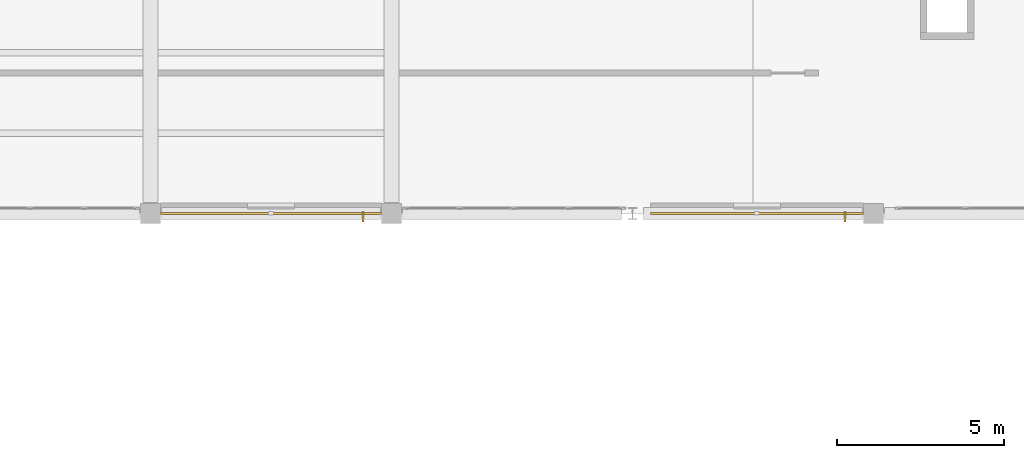
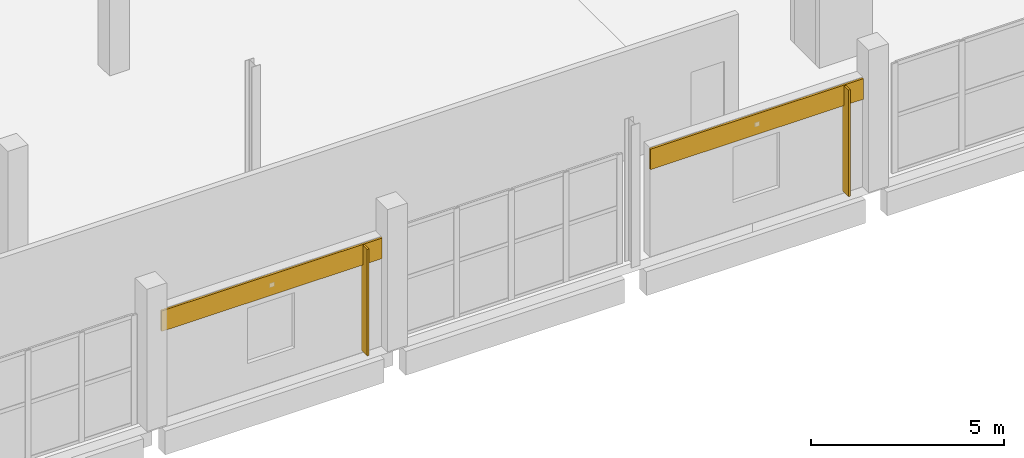
# One storey, part 113 of 123: 2 coverings, 2 shading devices.
"""IFC4 building model written with IfcOpenShell, lengths in metres."""

from ifc_helpers import new_model, si_unit, direction, frame, origin, origin_2d, place, context, subcontext, project, spatial, rectangle, extrude, material, layer, layer_set, type_object, element, save


model = new_model("IFC4")

# Units and contexts
model_context = context("Model", 3, precision=1e-05, world=origin(), true_north=direction((0.0, 1.0)))
body_context = subcontext(model_context, "Body", "Model", "MODEL_VIEW")
ifc_project = project(units=[si_unit("LENGTHUNIT", "METRE"), si_unit("AREAUNIT", "SQUARE_METRE"), si_unit("VOLUMEUNIT", "CUBIC_METRE"), si_unit("PLANEANGLEUNIT", "RADIAN"), si_unit("MASSUNIT", "GRAM", prefix="KILO")], contexts=[model_context])

# Site, building, storey
site_placement = place(None, origin())
site = spatial("IfcSite", under=ifc_project, at=site_placement, CompositionType="ELEMENT")
building_placement = place(site_placement, origin())
building = spatial("IfcBuilding", under=site, at=building_placement, Name="Kalmorath City Hall", CompositionType="ELEMENT")
storey_placement = place(building_placement, frame((0.0, 0.0, 10.199951171875)))
storey = spatial("IfcBuildingStorey", under=building, at=storey_placement, Name="L02", CompositionType="ELEMENT", Elevation=10.199951171875)

# Shading devices
ifc_material_1 = material(Name="Bronze anodised aluminium", Category="aluminium")
ifc_layer_1 = layer(ifc_material_1, 0.06005859375)
ifc_layer_set_1 = layer_set([ifc_layer_1], Name="Bronze anodised aluminium")
shading_device_type = type_object("IfcShadingDeviceType", Name="Bronze vertical solar fin 320", PredefinedType="USERDEFINED", material=ifc_layer_set_1)
for number, where, z_axis, x_axis, name in (
    (1, (56.7490234375, 93.5, 0.050048828125), (0.0, 0.0, 1.0), (-1.0, 0.0, 0.0), "L02 bronze solar fin #259"),
    (2, (42.34912109375, 93.5, 0.050048828125), (0.0, 0.0, 1.0), (-1.0, 0.0, 0.0), "L02 bronze solar fin #260"),
):
    element("IfcShadingDevice", number, at=place(storey_placement, frame(where, z_axis=z_axis, x_axis=x_axis)), inside=storey, type_object=shading_device_type, Name=name, ObjectType="FIN", PredefinedType="USERDEFINED", context=body_context, shape_type="SweptSolid", body=[
        extrude(rectangle(XDim=0.06005859375, YDim=0.320068359375, at=origin_2d()), origin(), (0.0, 0.0, 1.0), 3.37109375),
    ])

# Coverings
ifc_material_2 = material(Name="Volcanic basalt stone cladding", Category="masonry")
ifc_layer_2 = layer(ifc_material_2, 0.06005859375)
ifc_layer_set_2 = layer_set([ifc_layer_2], Name="Volcanic basalt stone cladding")
covering_type = type_object("IfcCoveringType", Name="Volcanic basalt stone rainscreen cladding", PredefinedType="CLADDING", material=ifc_layer_set_2)
covering_1_placement = place(storey_placement, frame((54.11474609375, 93.594970703125, 2.796142578125), z_axis=(0.0, 0.0, 1.0), x_axis=(-1.0, 0.0, 0.0)))
element("IfcCovering", 3, at=covering_1_placement, inside=storey, type_object=covering_type, Name="L02 basalt spandrel cladding #56", PredefinedType="CLADDING", context=body_context, shape_type="SweptSolid", body=[
    extrude(rectangle(XDim=6.368408203125, YDim=0.06005859375, at=origin_2d()), origin(), (0.0, 0.0, 1.0), 0.64990234375),
])
covering_2_placement = place(storey_placement, frame((39.60009765625, 93.594970703125, 2.796142578125), z_axis=(0.0, 0.0, 1.0), x_axis=(-1.0, 0.0, 0.0)))
element("IfcCovering", 4, at=covering_2_placement, inside=storey, type_object=covering_type, Name="L02 basalt spandrel cladding #57", PredefinedType="CLADDING", context=body_context, shape_type="SweptSolid", body=[
    extrude(rectangle(XDim=6.597900390625, YDim=0.06005859375, at=origin_2d()), origin(), (0.0, 0.0, 1.0), 0.64990234375),
])

save(model, "model.ifc")
